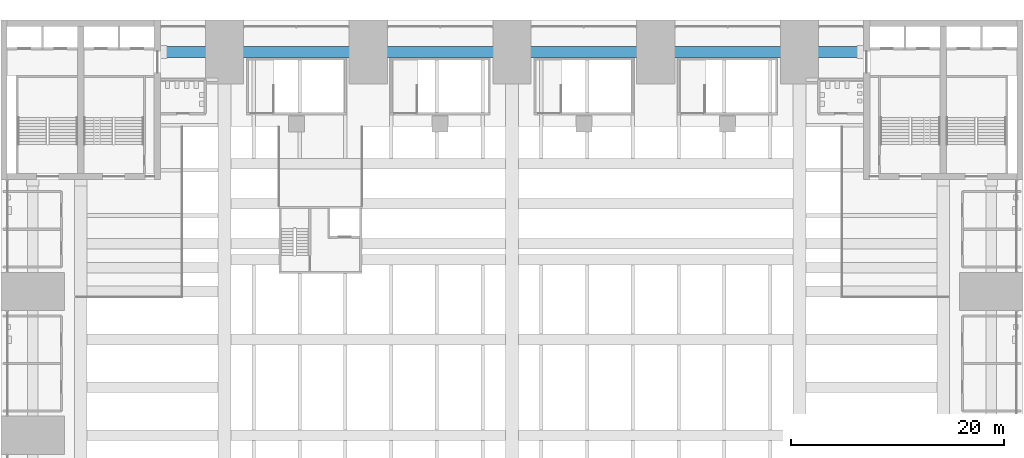
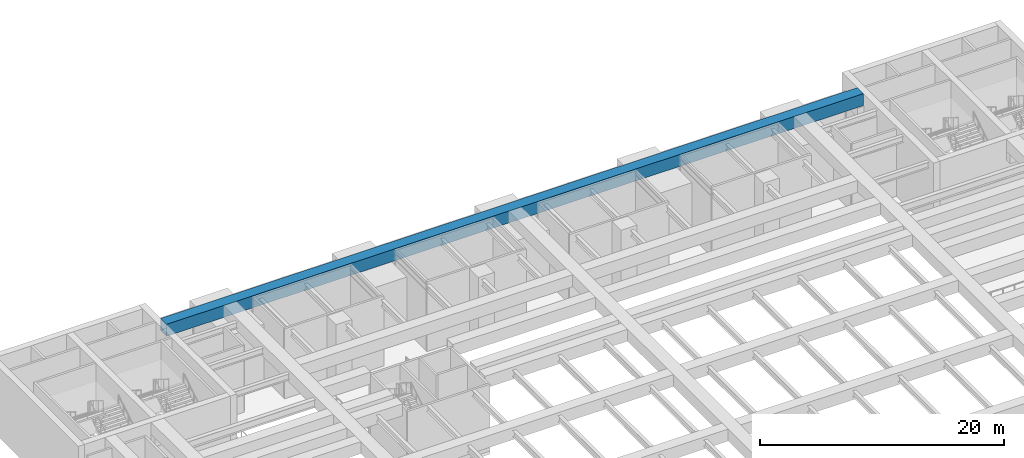
# One storey, part 20 of 45: 1 member.
"""IFC4 building model written with IfcOpenShell, lengths in metres."""

import ifcopenshell
import ifcopenshell.guid

model = None  # the IFC model being written
_history = None  # IfcOwnerHistory: only IFC2X3 demands one
_inside = {}  # id of a spatial element -> (the spatial element, [elements in it])
_under = {}  # id of a project, library or spatial element -> (it, [spatial elements below it])
_declared = {}  # id of a project -> (the project, [libraries it declares])
_typed = {}  # id of a type object -> (the type object, [elements of that type])
_made_of = {}  # id of a material, layer set ... -> (it, [elements and type objects made of it])


def new_model(schema):
    """Start an empty IFC model of exactly this schema.

    Asked for "IFC4X3", IfcOpenShell would pick the latest addendum, in which some entities
    have other attributes; the version numbers below select the first issue.
    IFC2X3 requires an IfcOwnerHistory on every rooted entity: one is made here for all.
    """
    global model, _history
    if schema == "IFC4X3":
        model = ifcopenshell.file(schema_version=(4, 3, 0, 0))
    else:
        model = ifcopenshell.file(schema=schema)
    _inside.clear()
    _under.clear()
    _declared.clear()
    _typed.clear()
    _made_of.clear()
    _history = None
    if model.schema == "IFC2X3":
        org = make("IfcOrganization", Name="unknown")
        user = make(
            "IfcPersonAndOrganization",
            ThePerson=make("IfcPerson", FamilyName="unknown"),
            TheOrganization=org,
        )
        app = make(
            "IfcApplication",
            ApplicationDeveloper=org,
            Version="unknown",
            ApplicationFullName="unknown",
            ApplicationIdentifier="unknown",
        )
        _history = make(
            "IfcOwnerHistory",
            OwningUser=user,
            OwningApplication=app,
            ChangeAction="ADDED",
            CreationDate=0,
        )
    return model


def make(cls, **values):
    """One entity of the class cls with the attributes given. An attribute that is None is left unset."""
    return model.create_entity(
        cls, **{name: value for name, value in values.items() if value is not None}
    )


def rooted(cls, **values):
    """An entity with a GlobalId (a new one), such as an element, a storey or a relation."""
    return make(cls, GlobalId=ifcopenshell.guid.new(), OwnerHistory=_history, **values)


def si_unit(unit_type, name, prefix=None):
    """IfcSIUnit, for example si_unit("LENGTHUNIT", "METRE", prefix="MILLI")."""
    return make("IfcSIUnit", UnitType=unit_type, Prefix=prefix, Name=name)


def assignment(units):
    """IfcUnitAssignment: the units of a project."""
    return None if units is None else make("IfcUnitAssignment", Units=units)


def point(xyz):
    """IfcCartesianPoint."""
    return None if xyz is None else make("IfcCartesianPoint", Coordinates=xyz)


def direction(xyz):
    """IfcDirection."""
    return None if xyz is None else make("IfcDirection", DirectionRatios=xyz)


def frame(location, z_axis=None, x_axis=None):
    """IfcAxis2Placement3D, a coordinate frame: its origin and axes. An axis left out is left unset."""
    return make(
        "IfcAxis2Placement3D",
        Location=point(location),
        Axis=direction(z_axis),
        RefDirection=direction(x_axis),
    )


def frame_2d(location, x_axis=None):
    """IfcAxis2Placement2D, a coordinate frame in the plane: its origin and x axis."""
    return make(
        "IfcAxis2Placement2D", Location=point(location), RefDirection=direction(x_axis)
    )


def origin():
    """The frame at (0, 0, 0) with its axes left unset."""
    return frame((0.0, 0.0, 0.0))


def origin_2d():
    """The frame at (0, 0) in the plane with its x axis left unset."""
    return frame_2d((0.0, 0.0))


def place(relative_to, where):
    """IfcLocalPlacement: puts the frame where relative to a parent placement (None: the world)."""
    return make(
        "IfcLocalPlacement", PlacementRelTo=relative_to, RelativePlacement=where
    )


def context(
    kind, dimensions, precision=None, world=None, true_north=None, identifier=None
):
    """IfcGeometricRepresentationContext, for example the 3D "Model" context."""
    return make(
        "IfcGeometricRepresentationContext",
        ContextIdentifier=identifier,
        ContextType=kind,
        CoordinateSpaceDimension=dimensions,
        Precision=precision,
        WorldCoordinateSystem=world,
        TrueNorth=true_north,
    )


def subcontext(parent, identifier, kind, view, scale=None):
    """IfcGeometricRepresentationSubContext, for example "Body" below "Model"."""
    return make(
        "IfcGeometricRepresentationSubContext",
        ContextIdentifier=identifier,
        ContextType=kind,
        ParentContext=parent,
        TargetScale=scale,
        TargetView=view,
    )


def project(units=None, contexts=None):
    """IfcProject with its units and contexts."""
    return rooted(
        "IfcProject",
        Name="project",
        RepresentationContexts=contexts,
        UnitsInContext=assignment(units),
    )


def spatial(cls, under=None, at=None, **own):
    """A site, building, storey or space (cls), placed at a placement, below another one or the project."""
    s = rooted(cls, ObjectPlacement=at, **own)
    if under is not None:
        _under.setdefault(under.id(), (under, []))[1].append(s)
    return s


def profile(cls, at=None, kind="AREA", **sizes):
    """A parametric profile (cls). Its sizes go by their IFC names, for example OverallWidth=200.0."""
    return make(cls, ProfileType=kind, Position=at, **sizes)


def hollow_rectangle(**sizes):
    """IfcRectangleHollowProfileDef."""
    return profile("IfcRectangleHollowProfileDef", **sizes)


def extrude(swept, where, along, depth):
    """IfcExtrudedAreaSolid: the profile swept, set in the frame where, extruded along a direction by depth."""
    return make(
        "IfcExtrudedAreaSolid",
        SweptArea=swept,
        Position=where,
        ExtrudedDirection=direction(along),
        Depth=depth,
    )


def shape(context_of_items, identifier, shape_type, items):
    """IfcShapeRepresentation: the items that make up one representation, for example the "Body"."""
    return make(
        "IfcShapeRepresentation",
        ContextOfItems=context_of_items,
        RepresentationIdentifier=identifier,
        RepresentationType=shape_type,
        Items=items,
    )


def material(Name=None, Category=None):
    """IfcMaterial."""
    return make("IfcMaterial", Name=Name, Category=Category)


def material_profile(
    of_material, cross_section, Name=None, Category=None, Priority=None
):
    """IfcMaterialProfile: a cross section and its material."""
    return make(
        "IfcMaterialProfile",
        Name=Name,
        Material=of_material,
        Profile=cross_section,
        Priority=Priority,
        Category=Category,
    )


def profile_set(profiles, Name=None, composite=None):
    """IfcMaterialProfileSet."""
    return make(
        "IfcMaterialProfileSet",
        Name=Name,
        MaterialProfiles=profiles,
        CompositeProfile=composite,
    )


def made_of(thing, what):
    """Note that an element or type object is made of a material, layer set ...; save() writes the relation."""
    if what is not None:
        _made_of.setdefault(what.id(), (what, []))[1].append(thing)
    return thing


def type_object(cls, material=None, **own):
    """A type object (cls), such as IfcWallType, which elements share."""
    return made_of(rooted(cls, **own), material)


def element(
    cls,
    number,
    at=None,
    inside=None,
    cuts=None,
    type_object=None,
    material=None,
    context=None,
    identifier="Body",
    shape_type=None,
    held_by="IfcProductDefinitionShape",
    body=None,
    shapes=None,
    **own,
):
    """One element of the class cls, such as IfcWall. Its Tag is "e" and its number.

    at: its placement. inside: the storey or other place that contains it. cuts: it is an
    opening in that element (IfcRelVoidsElement). A single representation is given by context,
    identifier, shape_type and body (its items); several are given by shapes. held_by: the class
    of the entity that holds the representations. save() writes the other relations.
    """
    e = rooted(cls, Tag="e%d" % number, ObjectPlacement=at, **own)
    if body is not None:
        shapes = [shape(context, identifier, shape_type, body)]
    if shapes is not None:
        e.Representation = make(held_by, Representations=shapes)
    if inside is not None:
        _inside.setdefault(inside.id(), (inside, []))[1].append(e)
    if cuts is not None:
        rooted(
            "IfcRelVoidsElement", RelatingBuildingElement=cuts, RelatedOpeningElement=e
        )
    if type_object is not None:
        _typed.setdefault(type_object.id(), (type_object, []))[1].append(e)
    return made_of(e, material)


def aggregate(whole, parts):
    """IfcRelAggregates: a whole, such as a stair, and the parts it consists of."""
    return rooted("IfcRelAggregates", RelatingObject=whole, RelatedObjects=parts)


def save(model, path):
    """Write the relations noted so far, then the file.

    IfcRelAggregates (storeys below a building ...), IfcRelContainedInSpatialStructure (elements
    in a storey), IfcRelDefinesByType, IfcRelAssociatesMaterial and IfcRelDeclares: one each for
    every whole, place, type object, material and project.
    """
    for whole, parts in _under.values():
        aggregate(whole, parts)
    for where, things in _inside.values():
        rooted(
            "IfcRelContainedInSpatialStructure",
            RelatedElements=things,
            RelatingStructure=where,
        )
    for kind, things in _typed.values():
        rooted("IfcRelDefinesByType", RelatedObjects=things, RelatingType=kind)
    for what, things in _made_of.values():
        rooted("IfcRelAssociatesMaterial", RelatedObjects=things, RelatingMaterial=what)
    for by, libraries in _declared.values():
        rooted("IfcRelDeclares", RelatingContext=by, RelatedDefinitions=libraries)
    model.write(path)


model = new_model("IFC4")

# Units and contexts
model_context = context("Model", 3, precision=1e-05, world=origin(), true_north=direction((0.0, 1.0)))
body_context = subcontext(model_context, "Body", "Model", "MODEL_VIEW")
ifc_project = project(units=[si_unit("LENGTHUNIT", "METRE"), si_unit("AREAUNIT", "SQUARE_METRE"), si_unit("VOLUMEUNIT", "CUBIC_METRE"), si_unit("PLANEANGLEUNIT", "RADIAN"), si_unit("MASSUNIT", "GRAM", prefix="KILO")], contexts=[model_context])

# Site, building, storey
site_placement = place(None, origin())
site = spatial("IfcSite", under=ifc_project, at=site_placement, CompositionType="ELEMENT")
building_placement = place(site_placement, origin())
building = spatial("IfcBuilding", under=site, at=building_placement, Name="Corbelhall Arena Tower", CompositionType="ELEMENT")
storey_placement = place(building_placement, frame((0.0, 0.0, 37.0)))
storey = spatial("IfcBuildingStorey", under=building, at=storey_placement, Name="L05", CompositionType="ELEMENT", Elevation=37.0)

# Member
ifc_material = material(Name="Steel ASTM A572 Gr50", Category="steel")
ifc_material_profile = material_profile(ifc_material, hollow_rectangle(XDim=1.0, YDim=1.199951171875, WallThickness=0.06005859375, at=origin_2d()))
ifc_profile_set = profile_set([ifc_material_profile], Name="Steel ASTM A572 Gr50")
member_type = type_object("IfcMemberType", Name="PO-CHORD-1200X1000X60", PredefinedType="CHORD", material=ifc_profile_set)
member_placement = place(storey_placement, frame((-33.0, 36.0, 6.39990234375), z_axis=(1.0, 0.0, 0.0), x_axis=(0.0, 1.0, 0.0)))
element("IfcMember", 1, at=member_placement, inside=storey, type_object=member_type, Name="TRUSS EDGE-N BOT CHORD", PredefinedType="CHORD", context=body_context, shape_type="SweptSolid", body=[
    extrude(hollow_rectangle(XDim=1.0, YDim=1.199951171875, WallThickness=0.06005859375, at=origin_2d()), origin(), (0.0, 0.0, 1.0), 66.0),
])

save(model, "model.ifc")
